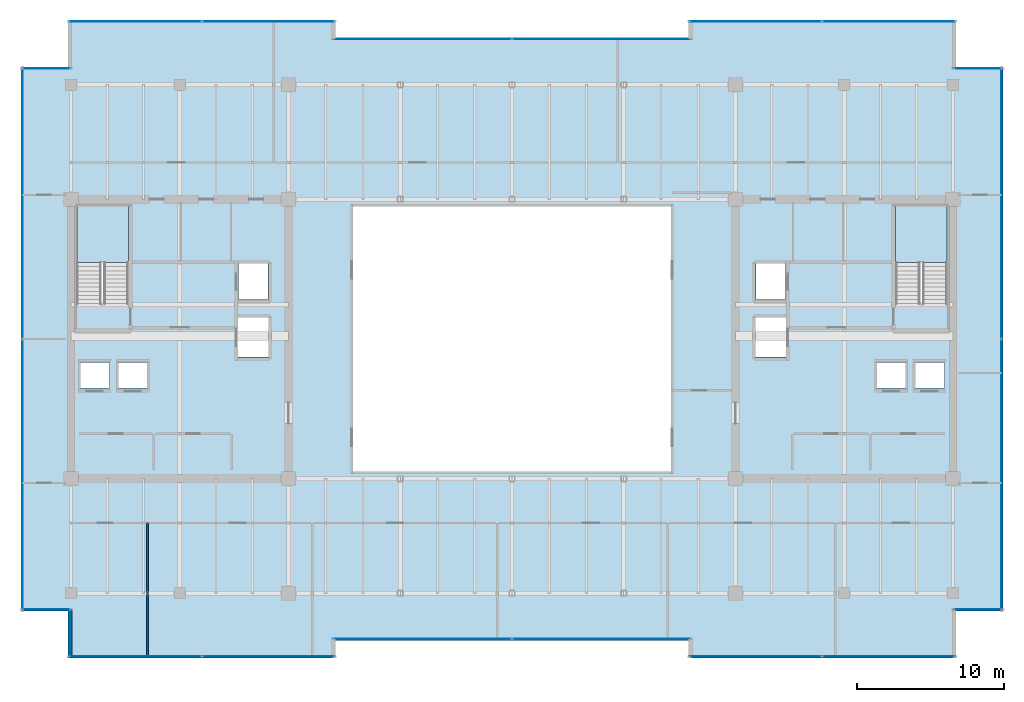
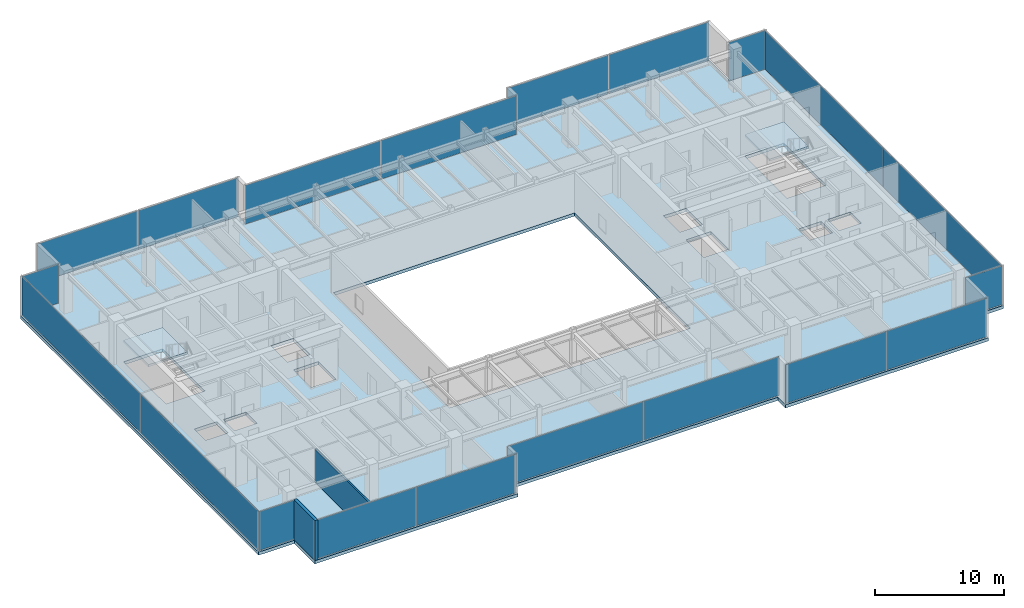
# One storey, part 27 of 33: 20 plates, 3 slabs, 2 walls, 14 elements without a shape of their own.
"""IFC4 building model written with IfcOpenShell, lengths in metres."""

from ifc_helpers import new_model, si_unit, direction, frame, frame_2d, origin, origin_2d, place, context, subcontext, project, spatial, polyline, rectangle, outline, extrude, source, transform, mapped, material, layer, layer_set, type_object, type_shapes, element, aggregate, save


model = new_model("IFC4")

# Units and contexts
model_context = context("Model", 3, precision=1e-05, world=origin(), true_north=direction((0.0, 1.0)))
body_context = subcontext(model_context, "Body", "Model", "MODEL_VIEW")
ifc_project = project(units=[si_unit("LENGTHUNIT", "METRE"), si_unit("AREAUNIT", "SQUARE_METRE"), si_unit("VOLUMEUNIT", "CUBIC_METRE"), si_unit("PLANEANGLEUNIT", "RADIAN"), si_unit("MASSUNIT", "GRAM", prefix="KILO")], contexts=[model_context])

# Site, building, storey
site_placement = place(None, origin())
site = spatial("IfcSite", under=ifc_project, at=site_placement, CompositionType="ELEMENT")
building_placement = place(site_placement, origin())
building = spatial("IfcBuilding", under=site, at=building_placement, Name="Haelvirn Gate Laboratories", CompositionType="ELEMENT")
storey_placement = place(building_placement, frame((0.0, 0.0, 238.300048828125)))
storey = spatial("IfcBuildingStorey", under=building, at=storey_placement, Name="L57", CompositionType="ELEMENT", Elevation=238.300048828125)

# Stair, slab
ifc_material_1 = material(Name="Concrete C40/50", Category="concrete")
stair_type = type_object("IfcStairType", Name="ST-DOG-1650-R22", PredefinedType="HALF_TURN_STAIR", material=ifc_material_1)
stair_1_placement = place(storey_placement, origin())
stair_1 = element("IfcStair", 1, at=stair_1_placement, inside=storey, type_object=stair_type, Name="L57 Escape Stair ST1", PredefinedType="HALF_TURN_STAIR")
ifc_layer_1 = layer(ifc_material_1, 0.199951171875, Name="SL-STAIR-LND")
ifc_layer_set_1 = layer_set([ifc_layer_1], Name="Concrete C40/50")
slab_type_1 = type_object("IfcSlabType", Name="SL-STAIR-LND", PredefinedType="LANDING", material=ifc_layer_set_1)
slab_1_placement = place(storey_placement, frame((0.0, 0.0, 1.849853515625)))
slab_1 = element("IfcSlab", 2, at=slab_1_placement, type_object=slab_type_1, Name="ST1 landing 1", PredefinedType="LANDING", context=body_context, shape_type="SweptSolid", body=[
    extrude(outline(polyline([(11.300048828125, 29.5), (11.300048828125, 33.35009765625), (7.800048828125, 33.35009765625), (7.800048828125, 29.5), (11.300048828125, 29.5)])), origin(), (0.0, 0.0, 1.0), 0.2001953125),
])
aggregate(stair_1, [slab_1])

stair_2_placement = place(storey_placement, origin())
stair_2 = element("IfcStair", 3, at=stair_2_placement, inside=storey, type_object=stair_type, Name="L57 Escape Stair ST2", PredefinedType="HALF_TURN_STAIR")
slab_2_placement = place(storey_placement, frame((0.0, 0.0, 1.849853515625)))
slab_2 = element("IfcSlab", 4, at=slab_2_placement, type_object=slab_type_1, Name="ST2 landing 1", PredefinedType="LANDING", context=body_context, shape_type="SweptSolid", body=[
    extrude(outline(polyline([(67.0, 29.5), (67.0, 33.35009765625), (63.5, 33.35009765625), (63.5, 29.5), (67.0, 29.5)])), origin(), (0.0, 0.0, 1.0), 0.2001953125),
])
aggregate(stair_2, [slab_2])

# Slab
ifc_layer_2 = layer(ifc_material_1, 0.300048828125, Name="SL-Z3-300")
ifc_layer_set_2 = layer_set([ifc_layer_2], Name="Concrete C40/50")
slab_type_2 = type_object("IfcSlabType", Name="SL-Z3-300", PredefinedType="FLOOR", material=ifc_layer_set_2)
slab_3_placement = place(storey_placement, frame((0.0, 0.0, -0.300048828125)))
element("IfcSlab", 5, at=slab_3_placement, inside=storey, type_object=slab_type_2, Name="L57 Structural Slab MAIN", PredefinedType="FLOOR", context=body_context, shape_type="SweptSolid", body=[
    extrude(outline(polyline([(7.199951171875, 2.60009765625), (25.39990234375, 2.60009765625), (25.39990234375, 3.800048828125), (49.39990234375, 3.800048828125), (49.39990234375, 2.60009765625), (67.60009765625, 2.60009765625), (67.60009765625, 5.800048828125), (70.800048828125, 5.800048828125), (70.800048828125, 42.800048828125), (67.60009765625, 42.800048828125), (67.60009765625, 46.0), (49.39990234375, 46.0), (49.39990234375, 44.800048828125), (25.39990234375, 44.800048828125), (25.39990234375, 46.0), (7.199951171875, 46.0), (7.199951171875, 42.800048828125), (4.0, 42.800048828125), (4.0, 5.800048828125), (7.199951171875, 5.800048828125), (7.199951171875, 2.60009765625)]), holes=[polyline([(26.60009765625, 15.300048828125), (48.199951171875, 15.300048828125), (48.199951171875, 33.300048828125), (26.60009765625, 33.300048828125), (26.60009765625, 15.300048828125)]), polyline([(11.300048828125, 26.780029296875), (11.300048828125, 33.35009765625), (7.800048828125, 33.35009765625), (7.800048828125, 26.780029296875), (11.300048828125, 26.780029296875)]), polyline([(67.0, 26.780029296875), (67.0, 33.35009765625), (63.5, 33.35009765625), (63.5, 26.780029296875), (67.0, 26.780029296875)]), polyline([(7.989990234375, 20.969970703125), (10.010009765625, 20.969970703125), (10.010009765625, 22.7099609375), (7.989990234375, 22.7099609375), (7.989990234375, 20.969970703125)]), polyline([(10.590087890625, 20.969970703125), (12.610107421875, 20.969970703125), (12.610107421875, 22.7099609375), (10.590087890625, 22.7099609375), (10.590087890625, 20.969970703125)]), polyline([(18.7900390625, 26.969970703125), (20.81005859375, 26.969970703125), (20.81005859375, 29.510009765625), (18.7900390625, 29.510009765625), (18.7900390625, 26.969970703125)]), polyline([(18.68994140625, 23.070068359375), (20.909912109375, 23.070068359375), (20.909912109375, 25.81005859375), (18.68994140625, 25.81005859375), (18.68994140625, 23.070068359375)]), polyline([(64.7900390625, 20.969970703125), (66.81005859375, 20.969970703125), (66.81005859375, 22.7099609375), (64.7900390625, 22.7099609375), (64.7900390625, 20.969970703125)]), polyline([(62.18994140625, 20.969970703125), (64.2099609375, 20.969970703125), (64.2099609375, 22.7099609375), (62.18994140625, 22.7099609375), (62.18994140625, 20.969970703125)]), polyline([(53.989990234375, 26.969970703125), (56.010009765625, 26.969970703125), (56.010009765625, 29.510009765625), (53.989990234375, 29.510009765625), (53.989990234375, 26.969970703125)]), polyline([(53.889892578125, 23.070068359375), (56.110107421875, 23.070068359375), (56.110107421875, 25.81005859375), (53.889892578125, 25.81005859375), (53.889892578125, 23.070068359375)])]), origin(), (0.0, 0.0, 1.0), 0.300048828125),
])

# Curtain wall, plates
ifc_material_2 = material(Name="Anodised bronze unitised aluminium & triple low-E glass", Category="aluminium")
ifc_layer_3 = layer(ifc_material_2, 0.176025390625, Name="CW-SYS-4")
ifc_layer_set_3 = layer_set([ifc_layer_3], Name="Anodised bronze unitised aluminium & triple low-E glass")
curtain_wall_type_1 = type_object("IfcCurtainWallType", Name="CW-SYS-4", PredefinedType="NOTDEFINED", material=ifc_layer_set_3)
curtain_wall_1_placement = place(storey_placement, origin())
curtain_wall_1 = element("IfcCurtainWall", 6, at=curtain_wall_1_placement, inside=storey, type_object=curtain_wall_type_1, Name="L57 Unitised Curtain Wall CW-L57-P0-E00-1", PredefinedType="NOTDEFINED")
ifc_material_3 = material(Name="Acoustic laminated bronze triple IGU 36 mm", Category="glass")
ifc_layer_4 = layer(ifc_material_3, 0.035888671875, Name="CWP-IGU-36")
ifc_layer_set_4 = layer_set([ifc_layer_4], Name="Acoustic laminated bronze triple IGU 36 mm")
plate_type_1 = type_object("IfcPlateType", Name="CWP-IGU-36", PredefinedType="CURTAIN_PANEL", material=ifc_layer_set_4)
shared_shape_1 = source(origin(), body_context, "Body", "SweptSolid", [
    extrude(rectangle(XDim=8.9951171875, YDim=0.035888671875, at=origin_2d()), origin(), (0.0, 0.0, 1.0), 3.669921875),
])
plate_1_placement = place(storey_placement, frame((11.767578125, 2.699951171875, 0.06494140625), z_axis=(0.0, 0.0, 1.0), x_axis=(1.0, 0.0, 0.0)))
plate_1 = element("IfcPlate", 7, at=plate_1_placement, type_object=plate_type_1, Name="CW4 panel 1.1", PredefinedType="CURTAIN_PANEL", context=body_context, shape_type="MappedRepresentation", body=[
    mapped(shared_shape_1, transform((0.0, 0.0, 0.0), scale=1.0)),
])
plate_2_placement = place(storey_placement, frame((20.83251953125, 2.699951171875, 0.06494140625), z_axis=(0.0, 0.0, 1.0), x_axis=(1.0, 0.0, 0.0)))
plate_2 = element("IfcPlate", 8, at=plate_2_placement, type_object=plate_type_1, Name="CW4 panel 2.1", PredefinedType="CURTAIN_PANEL", context=body_context, shape_type="MappedRepresentation", body=[
    mapped(shared_shape_1, transform((0.0, 0.0, 0.0), scale=1.0)),
])
aggregate(curtain_wall_1, [plate_1, plate_2])

curtain_wall_2_placement = place(storey_placement, origin())
curtain_wall_2 = element("IfcCurtainWall", 9, at=curtain_wall_2_placement, inside=storey, type_object=curtain_wall_type_1, Name="L57 Unitised Curtain Wall CW-L57-P0-E04-1", PredefinedType="NOTDEFINED")
plate_3_placement = place(storey_placement, frame((53.967529296875, 2.699951171875, 0.06494140625), z_axis=(0.0, 0.0, 1.0), x_axis=(1.0, 0.0, 0.0)))
plate_3 = element("IfcPlate", 10, at=plate_3_placement, type_object=plate_type_1, Name="CW4 panel 1.1", PredefinedType="CURTAIN_PANEL", context=body_context, shape_type="MappedRepresentation", body=[
    mapped(shared_shape_1, transform((0.0, 0.0, 0.0), scale=1.0)),
])
plate_4_placement = place(storey_placement, frame((63.032470703125, 2.699951171875, 0.06494140625), z_axis=(0.0, 0.0, 1.0), x_axis=(1.0, 0.0, 0.0)))
plate_4 = element("IfcPlate", 11, at=plate_4_placement, type_object=plate_type_1, Name="CW4 panel 2.1", PredefinedType="CURTAIN_PANEL", context=body_context, shape_type="MappedRepresentation", body=[
    mapped(shared_shape_1, transform((0.0, 0.0, 0.0), scale=1.0)),
])
aggregate(curtain_wall_2, [plate_3, plate_4])

curtain_wall_3_placement = place(storey_placement, origin())
curtain_wall_3 = element("IfcCurtainWall", 12, at=curtain_wall_3_placement, inside=storey, type_object=curtain_wall_type_1, Name="L57 Unitised Curtain Wall CW-L57-P0-E10-1", PredefinedType="NOTDEFINED")
plate_5_placement = place(storey_placement, frame((53.967529296875, 45.89990234375, 0.06494140625), z_axis=(0.0, 0.0, 1.0), x_axis=(1.0, 0.0, 0.0)))
plate_5 = element("IfcPlate", 13, at=plate_5_placement, type_object=plate_type_1, Name="CW4 panel 1.1", PredefinedType="CURTAIN_PANEL", context=body_context, shape_type="MappedRepresentation", body=[
    mapped(shared_shape_1, transform((0.0, 0.0, 0.0), scale=1.0)),
])
plate_6_placement = place(storey_placement, frame((63.032470703125, 45.89990234375, 0.06494140625), z_axis=(0.0, 0.0, 1.0), x_axis=(1.0, 0.0, 0.0)))
plate_6 = element("IfcPlate", 14, at=plate_6_placement, type_object=plate_type_1, Name="CW4 panel 2.1", PredefinedType="CURTAIN_PANEL", context=body_context, shape_type="MappedRepresentation", body=[
    mapped(shared_shape_1, transform((0.0, 0.0, 0.0), scale=1.0)),
])
aggregate(curtain_wall_3, [plate_5, plate_6])

curtain_wall_4_placement = place(storey_placement, origin())
curtain_wall_4 = element("IfcCurtainWall", 15, at=curtain_wall_4_placement, inside=storey, type_object=curtain_wall_type_1, Name="L57 Unitised Curtain Wall CW-L57-P0-E14-1", PredefinedType="NOTDEFINED")
plate_7_placement = place(storey_placement, frame((11.767578125, 45.89990234375, 0.06494140625), z_axis=(0.0, 0.0, 1.0), x_axis=(1.0, 0.0, 0.0)))
plate_7 = element("IfcPlate", 16, at=plate_7_placement, type_object=plate_type_1, Name="CW4 panel 1.1", PredefinedType="CURTAIN_PANEL", context=body_context, shape_type="MappedRepresentation", body=[
    mapped(shared_shape_1, transform((0.0, 0.0, 0.0), scale=1.0)),
])
plate_8_placement = place(storey_placement, frame((20.83251953125, 45.89990234375, 0.06494140625), z_axis=(0.0, 0.0, 1.0), x_axis=(1.0, 0.0, 0.0)))
plate_8 = element("IfcPlate", 17, at=plate_8_placement, type_object=plate_type_1, Name="CW4 panel 2.1", PredefinedType="CURTAIN_PANEL", context=body_context, shape_type="MappedRepresentation", body=[
    mapped(shared_shape_1, transform((0.0, 0.0, 0.0), scale=1.0)),
])
aggregate(curtain_wall_4, [plate_7, plate_8])

curtain_wall_5_placement = place(storey_placement, origin())
curtain_wall_5 = element("IfcCurtainWall", 18, at=curtain_wall_5_placement, inside=storey, type_object=curtain_wall_type_1, Name="L57 Unitised Curtain Wall CW-L57-P0-E02-1", PredefinedType="NOTDEFINED")
shared_shape_2 = source(origin(), body_context, "Body", "SweptSolid", [
    extrude(rectangle(XDim=12.135009765625, YDim=0.035888671875, at=origin_2d()), origin(), (0.0, 0.0, 1.0), 3.669921875),
])
plate_9_placement = place(storey_placement, frame((31.297607421875, 3.89990234375, 0.06494140625), z_axis=(0.0, 0.0, 1.0), x_axis=(1.0, 0.0, 0.0)))
plate_9 = element("IfcPlate", 19, at=plate_9_placement, type_object=plate_type_1, Name="CW4 panel 1.1", PredefinedType="CURTAIN_PANEL", context=body_context, shape_type="MappedRepresentation", body=[
    mapped(shared_shape_2, transform((0.0, 0.0, 0.0), scale=1.0)),
])
plate_10_placement = place(storey_placement, frame((43.50244140625, 3.89990234375, 0.06494140625), z_axis=(0.0, 0.0, 1.0), x_axis=(1.0, 0.0, 0.0)))
plate_10 = element("IfcPlate", 20, at=plate_10_placement, type_object=plate_type_1, Name="CW4 panel 2.1", PredefinedType="CURTAIN_PANEL", context=body_context, shape_type="MappedRepresentation", body=[
    mapped(shared_shape_2, transform((0.0, 0.0, 0.0), scale=1.0)),
])
aggregate(curtain_wall_5, [plate_9, plate_10])

curtain_wall_6_placement = place(storey_placement, origin())
curtain_wall_6 = element("IfcCurtainWall", 21, at=curtain_wall_6_placement, inside=storey, type_object=curtain_wall_type_1, Name="L57 Unitised Curtain Wall CW-L57-P0-E12-1", PredefinedType="NOTDEFINED")
plate_11_placement = place(storey_placement, frame((31.297607421875, 44.699951171875, 0.06494140625), z_axis=(0.0, 0.0, 1.0), x_axis=(1.0, 0.0, 0.0)))
plate_11 = element("IfcPlate", 22, at=plate_11_placement, type_object=plate_type_1, Name="CW4 panel 1.1", PredefinedType="CURTAIN_PANEL", context=body_context, shape_type="MappedRepresentation", body=[
    mapped(shared_shape_2, transform((0.0, 0.0, 0.0), scale=1.0)),
])
plate_12_placement = place(storey_placement, frame((43.50244140625, 44.699951171875, 0.06494140625), z_axis=(0.0, 0.0, 1.0), x_axis=(1.0, 0.0, 0.0)))
plate_12 = element("IfcPlate", 23, at=plate_12_placement, type_object=plate_type_1, Name="CW4 panel 2.1", PredefinedType="CURTAIN_PANEL", context=body_context, shape_type="MappedRepresentation", body=[
    mapped(shared_shape_2, transform((0.0, 0.0, 0.0), scale=1.0)),
])
aggregate(curtain_wall_6, [plate_11, plate_12])

# Curtain wall, plate
ifc_layer_5 = layer(ifc_material_2, 0.181884765625, Name="CW-SYS-5")
ifc_layer_set_5 = layer_set([ifc_layer_5], Name="Anodised bronze unitised aluminium & triple low-E glass")
curtain_wall_type_2 = type_object("IfcCurtainWallType", Name="CW-SYS-5", PredefinedType="NOTDEFINED", material=ifc_layer_set_5)
curtain_wall_7_placement = place(storey_placement, origin())
curtain_wall_7 = element("IfcCurtainWall", 24, at=curtain_wall_7_placement, inside=storey, type_object=curtain_wall_type_2, Name="L57 Unitised Curtain Wall CW-L57-P0-E06-1", PredefinedType="NOTDEFINED")
ifc_material_4 = material(Name="Clear low-iron notched-corner triple IGU 42 mm", Category="glass")
ifc_layer_6 = layer(ifc_material_4, 0.0419921875, Name="CWP-NTC-42")
ifc_layer_set_6 = layer_set([ifc_layer_6], Name="Clear low-iron notched-corner triple IGU 42 mm")
plate_type_2 = type_object("IfcPlateType", Name="CWP-NTC-42", PredefinedType="CURTAIN_PANEL", material=ifc_layer_set_6)
shared_shape_3 = source(origin(), body_context, "Body", "SweptSolid", [
    extrude(rectangle(XDim=3.280029296875, YDim=0.0419921875, at=origin_2d()), origin(), (0.0, 0.0, 1.0), 3.669921875),
])
type_shapes(plate_type_2, [shared_shape_3])
plate_13_placement = place(storey_placement, frame((69.080078125, 5.89990234375, 0.06494140625), z_axis=(0.0, 0.0, 1.0), x_axis=(1.0, 0.0, 0.0)))
plate_13 = element("IfcPlate", 25, at=plate_13_placement, type_object=plate_type_2, Name="CW5 panel 1.1", PredefinedType="CURTAIN_PANEL", context=body_context, shape_type="MappedRepresentation", body=[
    mapped(shared_shape_3, transform((0.0, 0.0, 0.0), scale=1.0)),
])
aggregate(curtain_wall_7, [plate_13])

curtain_wall_8_placement = place(storey_placement, origin())
curtain_wall_8 = element("IfcCurtainWall", 26, at=curtain_wall_8_placement, inside=storey, type_object=curtain_wall_type_2, Name="L57 Unitised Curtain Wall CW-L57-P0-E08-1", PredefinedType="NOTDEFINED")
plate_14_placement = place(storey_placement, frame((69.080078125, 42.699951171875, 0.06494140625), z_axis=(0.0, 0.0, 1.0), x_axis=(1.0, 0.0, 0.0)))
plate_14 = element("IfcPlate", 27, at=plate_14_placement, type_object=plate_type_2, Name="CW5 panel 1.1", PredefinedType="CURTAIN_PANEL", context=body_context, shape_type="MappedRepresentation", body=[
    mapped(shared_shape_3, transform((0.0, 0.0, 0.0), scale=1.0)),
])
aggregate(curtain_wall_8, [plate_14])

curtain_wall_9_placement = place(storey_placement, origin())
curtain_wall_9 = element("IfcCurtainWall", 28, at=curtain_wall_9_placement, inside=storey, type_object=curtain_wall_type_2, Name="L57 Unitised Curtain Wall CW-L57-P0-E16-1", PredefinedType="NOTDEFINED")
plate_15_placement = place(storey_placement, frame((5.719970703125, 42.699951171875, 0.06494140625), z_axis=(0.0, 0.0, 1.0), x_axis=(1.0, 0.0, 0.0)))
plate_15 = element("IfcPlate", 29, at=plate_15_placement, type_object=plate_type_2, Name="CW5 panel 1.1", PredefinedType="CURTAIN_PANEL", context=body_context, shape_type="MappedRepresentation", body=[
    mapped(shared_shape_3, transform((0.0, 0.0, 0.0), scale=1.0)),
])
aggregate(curtain_wall_9, [plate_15])

curtain_wall_10_placement = place(storey_placement, origin())
curtain_wall_10 = element("IfcCurtainWall", 30, at=curtain_wall_10_placement, inside=storey, type_object=curtain_wall_type_2, Name="L57 Unitised Curtain Wall CW-L57-P0-E18-1", PredefinedType="NOTDEFINED")
plate_16_placement = place(storey_placement, frame((5.719970703125, 5.89990234375, 0.06494140625), z_axis=(0.0, 0.0, 1.0), x_axis=(1.0, 0.0, 0.0)))
plate_16 = element("IfcPlate", 31, at=plate_16_placement, type_object=plate_type_2, Name="CW5 panel 1.1", PredefinedType="CURTAIN_PANEL", context=body_context, shape_type="MappedRepresentation", body=[
    mapped(shared_shape_3, transform((0.0, 0.0, 0.0), scale=1.0)),
])
aggregate(curtain_wall_10, [plate_16])

# Curtain wall, plates
curtain_wall_11_placement = place(storey_placement, origin())
curtain_wall_11 = element("IfcCurtainWall", 32, at=curtain_wall_11_placement, inside=storey, type_object=curtain_wall_type_1, Name="L57 Unitised Curtain Wall CW-L57-P0-E07", PredefinedType="NOTDEFINED")
shared_shape_4 = source(origin(), body_context, "Body", "SweptSolid", [
    extrude(rectangle(XDim=18.39501953125, YDim=0.035888671875, at=origin_2d()), origin(), (0.0, 0.0, 1.0), 3.669921875),
])
type_shapes(plate_type_1, [shared_shape_1, shared_shape_2, shared_shape_4])
plate_17_placement = place(storey_placement, frame((70.699951171875, 15.0673828125, 0.06494140625), z_axis=(0.0, 0.0, 1.0), x_axis=(0.0, 1.0, 0.0)))
plate_17 = element("IfcPlate", 33, at=plate_17_placement, type_object=plate_type_1, Name="CW4 panel 1.1", PredefinedType="CURTAIN_PANEL", context=body_context, shape_type="MappedRepresentation", body=[
    mapped(shared_shape_4, transform((0.0, 0.0, 0.0), scale=1.0)),
])
plate_18_placement = place(storey_placement, frame((70.699951171875, 33.532470703125, 0.06494140625), z_axis=(0.0, 0.0, 1.0), x_axis=(0.0, 1.0, 0.0)))
plate_18 = element("IfcPlate", 34, at=plate_18_placement, type_object=plate_type_1, Name="CW4 panel 2.1", PredefinedType="CURTAIN_PANEL", context=body_context, shape_type="MappedRepresentation", body=[
    mapped(shared_shape_4, transform((0.0, 0.0, 0.0), scale=1.0)),
])
aggregate(curtain_wall_11, [plate_17, plate_18])

curtain_wall_12_placement = place(storey_placement, origin())
curtain_wall_12 = element("IfcCurtainWall", 35, at=curtain_wall_12_placement, inside=storey, type_object=curtain_wall_type_1, Name="L57 Unitised Curtain Wall CW-L57-P0-E17", PredefinedType="NOTDEFINED")
plate_19_placement = place(storey_placement, frame((4.10009765625, 33.532470703125, 0.06494140625), z_axis=(0.0, 0.0, 1.0), x_axis=(0.0, -1.0, 0.0)))
plate_19 = element("IfcPlate", 36, at=plate_19_placement, type_object=plate_type_1, Name="CW4 panel 1.1", PredefinedType="CURTAIN_PANEL", context=body_context, shape_type="MappedRepresentation", body=[
    mapped(shared_shape_4, transform((0.0, 0.0, 0.0), scale=1.0)),
])
plate_20_placement = place(storey_placement, frame((4.10009765625, 15.0673828125, 0.06494140625), z_axis=(0.0, 0.0, 1.0), x_axis=(0.0, -1.0, 0.0)))
plate_20 = element("IfcPlate", 37, at=plate_20_placement, type_object=plate_type_1, Name="CW4 panel 2.1", PredefinedType="CURTAIN_PANEL", context=body_context, shape_type="MappedRepresentation", body=[
    mapped(shared_shape_4, transform((0.0, 0.0, 0.0), scale=1.0)),
])
aggregate(curtain_wall_12, [plate_19, plate_20])

# Walls
ifc_material_5 = material(Name="Thermally-broken bronze aluminium rainscreen & mineral wool", Category="aluminium")
ifc_layer_7 = layer(ifc_material_5, 0.280029296875, Name="EW-TERR-280")
ifc_layer_set_7 = layer_set([ifc_layer_7], Name="Thermally-broken bronze aluminium rainscreen & mineral wool")
wall_type_1 = type_object("IfcWallType", Name="EW-TERR-280", PredefinedType="STANDARD", material=ifc_layer_set_7)
wall_1_placement = place(storey_placement, frame((7.340087890625, 5.887939453125, 0.0), z_axis=(0.0, 0.0, 1.0), x_axis=(0.0, -1.0, 0.0)))
element("IfcWall", 38, at=wall_1_placement, inside=storey, type_object=wall_type_1, Name="L57 Atrium Recess Bronze Return Wall 19", PredefinedType="STANDARD", context=body_context, shape_type="SweptSolid", body=[
    extrude(rectangle(XDim=3.287841796875, YDim=0.280029296875, at=frame_2d((1.64404296875, 0.0))), origin(), (0.0, 0.0, 1.0), 3.800048828125),
])
ifc_material_6 = material(Name="Double-layer acoustic gypsum laboratory partition", Category="gypsum")
ifc_layer_8 = layer(ifc_material_6, 0.159912109375, Name="IW-ACOUST-160")
ifc_layer_set_8 = layer_set([ifc_layer_8], Name="Double-layer acoustic gypsum laboratory partition")
wall_type_2 = type_object("IfcWallType", Name="IW-ACOUST-160", PredefinedType="PARTITIONING", material=ifc_layer_set_8)
wall_2_placement = place(storey_placement, frame((12.60009765625, 2.7099609375, 0.0), z_axis=(0.0, 0.0, 1.0), x_axis=(0.0, 1.0, 0.0)))
element("IfcWall", 39, at=wall_2_placement, inside=storey, type_object=wall_type_2, Name="L57 Interior Wall IW-L57-SDIV-01", PredefinedType="PARTITIONING", context=body_context, shape_type="SweptSolid", body=[
    extrude(rectangle(XDim=9.080078125, YDim=0.159912109375, at=frame_2d((4.5400390625, 0.0))), origin(), (0.0, 0.0, 1.0), 3.135009765625),
])

save(model, "model.ifc")
